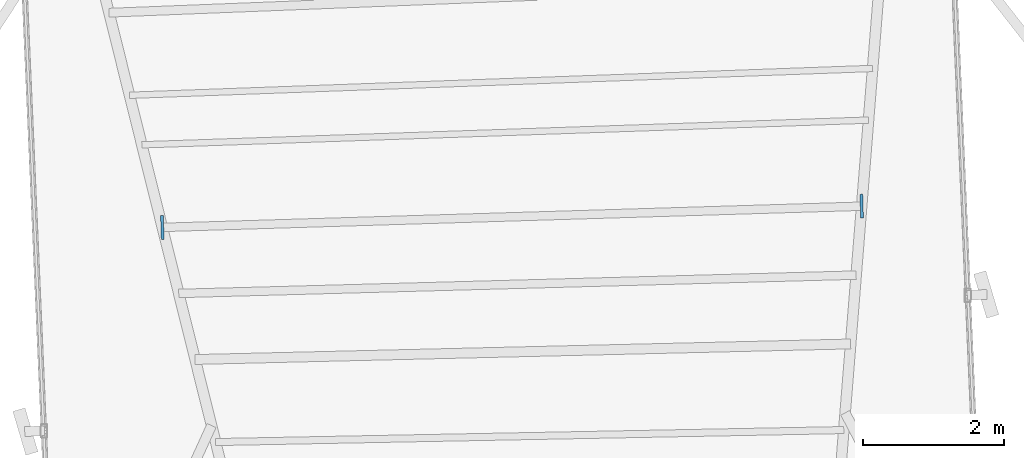
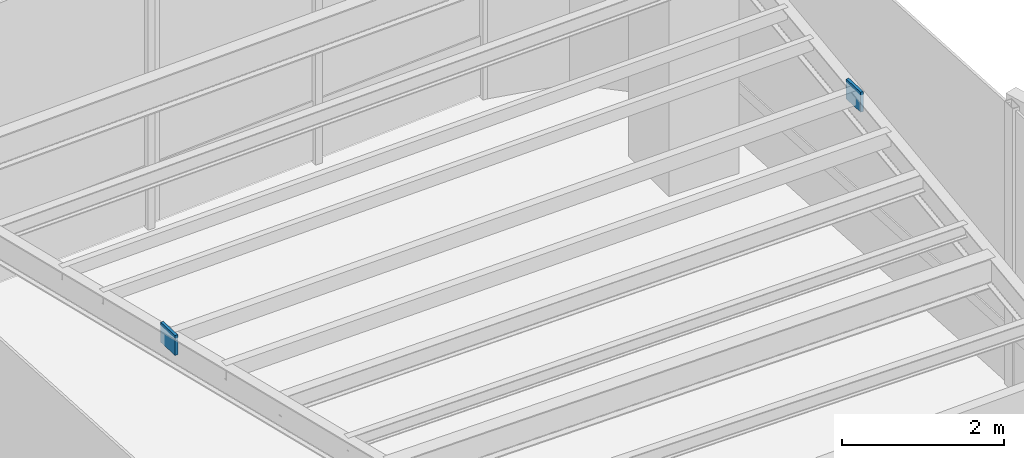
# One storey, part 18 of 23: 2 plates.
"""IFC4 building model written with IfcOpenShell, lengths in metres."""

import ifcopenshell
import ifcopenshell.guid

model = None  # the IFC model being written
_history = None  # IfcOwnerHistory: only IFC2X3 demands one
_inside = {}  # id of a spatial element -> (the spatial element, [elements in it])
_under = {}  # id of a project, library or spatial element -> (it, [spatial elements below it])
_declared = {}  # id of a project -> (the project, [libraries it declares])
_typed = {}  # id of a type object -> (the type object, [elements of that type])
_made_of = {}  # id of a material, layer set ... -> (it, [elements and type objects made of it])


def new_model(schema):
    """Start an empty IFC model of exactly this schema.

    Asked for "IFC4X3", IfcOpenShell would pick the latest addendum, in which some entities
    have other attributes; the version numbers below select the first issue.
    IFC2X3 requires an IfcOwnerHistory on every rooted entity: one is made here for all.
    """
    global model, _history
    if schema == "IFC4X3":
        model = ifcopenshell.file(schema_version=(4, 3, 0, 0))
    else:
        model = ifcopenshell.file(schema=schema)
    _inside.clear()
    _under.clear()
    _declared.clear()
    _typed.clear()
    _made_of.clear()
    _history = None
    if model.schema == "IFC2X3":
        org = make("IfcOrganization", Name="unknown")
        user = make(
            "IfcPersonAndOrganization",
            ThePerson=make("IfcPerson", FamilyName="unknown"),
            TheOrganization=org,
        )
        app = make(
            "IfcApplication",
            ApplicationDeveloper=org,
            Version="unknown",
            ApplicationFullName="unknown",
            ApplicationIdentifier="unknown",
        )
        _history = make(
            "IfcOwnerHistory",
            OwningUser=user,
            OwningApplication=app,
            ChangeAction="ADDED",
            CreationDate=0,
        )
    return model


def make(cls, **values):
    """One entity of the class cls with the attributes given. An attribute that is None is left unset."""
    return model.create_entity(
        cls, **{name: value for name, value in values.items() if value is not None}
    )


def rooted(cls, **values):
    """An entity with a GlobalId (a new one), such as an element, a storey or a relation."""
    return make(cls, GlobalId=ifcopenshell.guid.new(), OwnerHistory=_history, **values)


def si_unit(unit_type, name, prefix=None):
    """IfcSIUnit, for example si_unit("LENGTHUNIT", "METRE", prefix="MILLI")."""
    return make("IfcSIUnit", UnitType=unit_type, Prefix=prefix, Name=name)


def assignment(units):
    """IfcUnitAssignment: the units of a project."""
    return None if units is None else make("IfcUnitAssignment", Units=units)


def point(xyz):
    """IfcCartesianPoint."""
    return None if xyz is None else make("IfcCartesianPoint", Coordinates=xyz)


def direction(xyz):
    """IfcDirection."""
    return None if xyz is None else make("IfcDirection", DirectionRatios=xyz)


def frame(location, z_axis=None, x_axis=None):
    """IfcAxis2Placement3D, a coordinate frame: its origin and axes. An axis left out is left unset."""
    return make(
        "IfcAxis2Placement3D",
        Location=point(location),
        Axis=direction(z_axis),
        RefDirection=direction(x_axis),
    )


def frame_2d(location, x_axis=None):
    """IfcAxis2Placement2D, a coordinate frame in the plane: its origin and x axis."""
    return make(
        "IfcAxis2Placement2D", Location=point(location), RefDirection=direction(x_axis)
    )


def origin():
    """The frame at (0, 0, 0) with its axes left unset."""
    return frame((0.0, 0.0, 0.0))


def origin_2d():
    """The frame at (0, 0) in the plane with its x axis left unset."""
    return frame_2d((0.0, 0.0))


def place(relative_to, where):
    """IfcLocalPlacement: puts the frame where relative to a parent placement (None: the world)."""
    return make(
        "IfcLocalPlacement", PlacementRelTo=relative_to, RelativePlacement=where
    )


def context(
    kind, dimensions, precision=None, world=None, true_north=None, identifier=None
):
    """IfcGeometricRepresentationContext, for example the 3D "Model" context."""
    return make(
        "IfcGeometricRepresentationContext",
        ContextIdentifier=identifier,
        ContextType=kind,
        CoordinateSpaceDimension=dimensions,
        Precision=precision,
        WorldCoordinateSystem=world,
        TrueNorth=true_north,
    )


def subcontext(parent, identifier, kind, view, scale=None):
    """IfcGeometricRepresentationSubContext, for example "Body" below "Model"."""
    return make(
        "IfcGeometricRepresentationSubContext",
        ContextIdentifier=identifier,
        ContextType=kind,
        ParentContext=parent,
        TargetScale=scale,
        TargetView=view,
    )


def project(units=None, contexts=None):
    """IfcProject with its units and contexts."""
    return rooted(
        "IfcProject",
        Name="project",
        RepresentationContexts=contexts,
        UnitsInContext=assignment(units),
    )


def spatial(cls, under=None, at=None, **own):
    """A site, building, storey or space (cls), placed at a placement, below another one or the project."""
    s = rooted(cls, ObjectPlacement=at, **own)
    if under is not None:
        _under.setdefault(under.id(), (under, []))[1].append(s)
    return s


def profile(cls, at=None, kind="AREA", **sizes):
    """A parametric profile (cls). Its sizes go by their IFC names, for example OverallWidth=200.0."""
    return make(cls, ProfileType=kind, Position=at, **sizes)


def rectangle(**sizes):
    """IfcRectangleProfileDef."""
    return profile("IfcRectangleProfileDef", **sizes)


def extrude(swept, where, along, depth):
    """IfcExtrudedAreaSolid: the profile swept, set in the frame where, extruded along a direction by depth."""
    return make(
        "IfcExtrudedAreaSolid",
        SweptArea=swept,
        Position=where,
        ExtrudedDirection=direction(along),
        Depth=depth,
    )


def shape(context_of_items, identifier, shape_type, items):
    """IfcShapeRepresentation: the items that make up one representation, for example the "Body"."""
    return make(
        "IfcShapeRepresentation",
        ContextOfItems=context_of_items,
        RepresentationIdentifier=identifier,
        RepresentationType=shape_type,
        Items=items,
    )


def source(mapping_origin, context_of_items, identifier, shape_type, items):
    """IfcRepresentationMap: a shape defined once, which mapped items show again and again."""
    return make(
        "IfcRepresentationMap",
        MappingOrigin=mapping_origin,
        MappedRepresentation=shape(context_of_items, identifier, shape_type, items),
    )


def transform(
    local_origin,
    x_axis=None,
    y_axis=None,
    z_axis=None,
    scale=None,
    scale2=None,
    scale3=None,
    uniform=True,
):
    """IfcCartesianTransformationOperator3D, or its non-uniform kind. x_axis, y_axis, z_axis: its Axis1, 2, 3."""
    if uniform:
        return make(
            "IfcCartesianTransformationOperator3D",
            Axis1=direction(x_axis),
            Axis2=direction(y_axis),
            LocalOrigin=point(local_origin),
            Scale=scale,
            Axis3=direction(z_axis),
        )
    return make(
        "IfcCartesianTransformationOperator3DnonUniform",
        Axis1=direction(x_axis),
        Axis2=direction(y_axis),
        LocalOrigin=point(local_origin),
        Scale=scale,
        Axis3=direction(z_axis),
        Scale2=scale2,
        Scale3=scale3,
    )


def mapped(mapping_source, mapping_target):
    """IfcMappedItem: shows the shape of a source again, moved by a transform."""
    return make(
        "IfcMappedItem", MappingSource=mapping_source, MappingTarget=mapping_target
    )


def material(Name=None, Category=None):
    """IfcMaterial."""
    return make("IfcMaterial", Name=Name, Category=Category)


def made_of(thing, what):
    """Note that an element or type object is made of a material, layer set ...; save() writes the relation."""
    if what is not None:
        _made_of.setdefault(what.id(), (what, []))[1].append(thing)
    return thing


def type_object(cls, material=None, **own):
    """A type object (cls), such as IfcWallType, which elements share."""
    return made_of(rooted(cls, **own), material)


def element(
    cls,
    number,
    at=None,
    inside=None,
    cuts=None,
    type_object=None,
    material=None,
    context=None,
    identifier="Body",
    shape_type=None,
    held_by="IfcProductDefinitionShape",
    body=None,
    shapes=None,
    **own,
):
    """One element of the class cls, such as IfcWall. Its Tag is "e" and its number.

    at: its placement. inside: the storey or other place that contains it. cuts: it is an
    opening in that element (IfcRelVoidsElement). A single representation is given by context,
    identifier, shape_type and body (its items); several are given by shapes. held_by: the class
    of the entity that holds the representations. save() writes the other relations.
    """
    e = rooted(cls, Tag="e%d" % number, ObjectPlacement=at, **own)
    if body is not None:
        shapes = [shape(context, identifier, shape_type, body)]
    if shapes is not None:
        e.Representation = make(held_by, Representations=shapes)
    if inside is not None:
        _inside.setdefault(inside.id(), (inside, []))[1].append(e)
    if cuts is not None:
        rooted(
            "IfcRelVoidsElement", RelatingBuildingElement=cuts, RelatedOpeningElement=e
        )
    if type_object is not None:
        _typed.setdefault(type_object.id(), (type_object, []))[1].append(e)
    return made_of(e, material)


def aggregate(whole, parts):
    """IfcRelAggregates: a whole, such as a stair, and the parts it consists of."""
    return rooted("IfcRelAggregates", RelatingObject=whole, RelatedObjects=parts)


def save(model, path):
    """Write the relations noted so far, then the file.

    IfcRelAggregates (storeys below a building ...), IfcRelContainedInSpatialStructure (elements
    in a storey), IfcRelDefinesByType, IfcRelAssociatesMaterial and IfcRelDeclares: one each for
    every whole, place, type object, material and project.
    """
    for whole, parts in _under.values():
        aggregate(whole, parts)
    for where, things in _inside.values():
        rooted(
            "IfcRelContainedInSpatialStructure",
            RelatedElements=things,
            RelatingStructure=where,
        )
    for kind, things in _typed.values():
        rooted("IfcRelDefinesByType", RelatedObjects=things, RelatingType=kind)
    for what, things in _made_of.values():
        rooted("IfcRelAssociatesMaterial", RelatedObjects=things, RelatingMaterial=what)
    for by, libraries in _declared.values():
        rooted("IfcRelDeclares", RelatingContext=by, RelatedDefinitions=libraries)
    model.write(path)


model = new_model("IFC4")

# Units and contexts
model_context = context("Model", 3, precision=1e-05, world=origin(), true_north=direction((0.0, 1.0)))
body_context = subcontext(model_context, "Body", "Model", "MODEL_VIEW")
ifc_project = project(units=[si_unit("LENGTHUNIT", "METRE"), si_unit("AREAUNIT", "SQUARE_METRE"), si_unit("VOLUMEUNIT", "CUBIC_METRE"), si_unit("PLANEANGLEUNIT", "RADIAN"), si_unit("MASSUNIT", "GRAM", prefix="KILO")], contexts=[model_context])

# Site, building, storey
site_placement = place(None, origin())
site = spatial("IfcSite", under=ifc_project, at=site_placement, CompositionType="ELEMENT")
building_placement = place(site_placement, origin())
building = spatial("IfcBuilding", under=site, at=building_placement, Name="Sahyath Konkavel Grand Hotel", CompositionType="ELEMENT")
storey_placement = place(building_placement, frame((0.0, 0.0, 106.949951171875)))
storey = spatial("IfcBuildingStorey", under=building, at=storey_placement, Name="L29", CompositionType="ELEMENT", Elevation=106.949951171875)

# Plates
ifc_material = material(Name="Steel E450", Category="steel")
plate_type = type_object("IfcPlateType", Name="GUSSET-END-35", PredefinedType="USERDEFINED", material=ifc_material)
shared_shape = source(origin(), body_context, "Body", "SweptSolid", [
    extrude(rectangle(XDim=0.0400390625, YDim=0.340087890625, at=origin_2d()), origin(), (0.0, 0.0, 1.0), 0.300048828125),
])
for number, where, z_axis, x_axis, name in (
    (1, (4.3857421875, 17.537841796875, 4.0), (0.0, 0.0, 1.0), (-0.999541551547, -0.030276834884, 0.0), "L29 Sub-Beam N-4 End Cap A"),
    (2, (-5.547607421875, 17.23681640625, 4.0), (0.0, 0.0, 1.0), (-0.999541551547, -0.030276834884, 0.0), "L29 Sub-Beam N-4 End Cap B"),
):
    element("IfcPlate", number, at=place(storey_placement, frame(where, z_axis=z_axis, x_axis=x_axis)), inside=storey, type_object=plate_type, Name=name, ObjectType="GUSSET_PLATE", PredefinedType="USERDEFINED", context=body_context, shape_type="MappedRepresentation", body=[
        mapped(shared_shape, transform((0.0, 0.0, 0.0), scale=1.0)),
    ])

save(model, "model.ifc")
